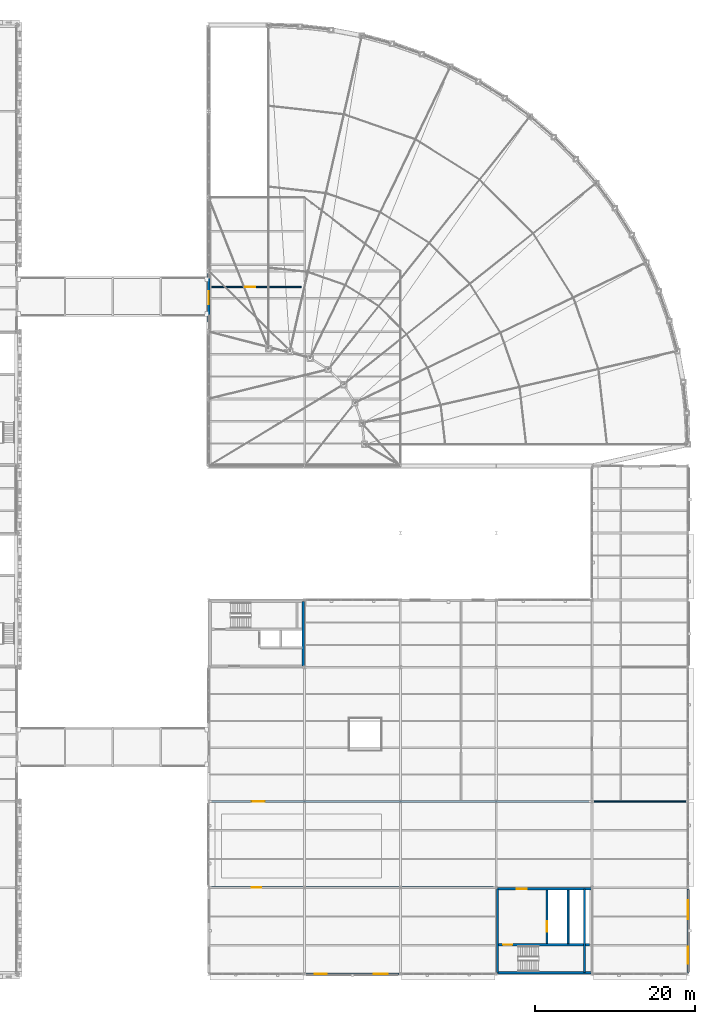
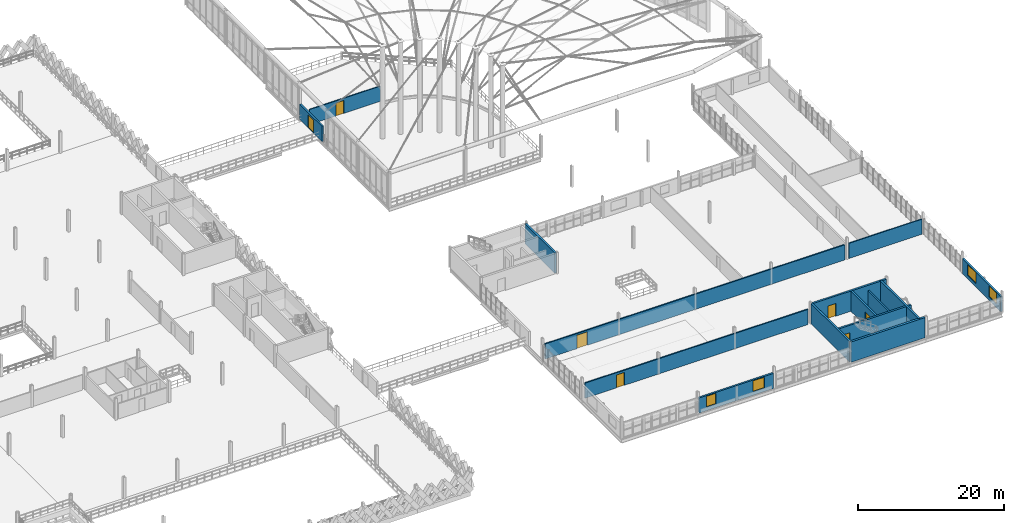
# One storey, part 88 of 101: 15 walls, 7 doors, 4 windows, 11 openings.
"""IFC4 building model written with IfcOpenShell, lengths in metres."""

from ifc_helpers import new_model, si_unit, direction, frame, frame_2d, origin, place, context, subcontext, project, spatial, rectangle, extrude, material, layer, layer_set, type_object, element, fill, save


model = new_model("IFC4")

# Units and contexts
model_context = context("Model", 3, precision=1e-05, world=origin(), true_north=direction((0.0, 1.0)))
body_context = subcontext(model_context, "Body", "Model", "MODEL_VIEW")
ifc_project = project(units=[si_unit("LENGTHUNIT", "METRE"), si_unit("AREAUNIT", "SQUARE_METRE"), si_unit("VOLUMEUNIT", "CUBIC_METRE"), si_unit("PLANEANGLEUNIT", "RADIAN"), si_unit("MASSUNIT", "GRAM", prefix="KILO"), si_unit("THERMODYNAMICTEMPERATUREUNIT", "KELVIN"), si_unit("POWERUNIT", "WATT")], contexts=[model_context])

# Site, building, storey
site_placement = place(None, origin())
site = spatial("IfcSite", under=ifc_project, at=site_placement, CompositionType="ELEMENT")
building_placement = place(site_placement, origin())
building = spatial("IfcBuilding", under=site, at=building_placement, Name="Tembeka Court Mobility Hub", CompositionType="ELEMENT")
storey_placement = place(building_placement, frame((0.0, 0.0, 5.39990234375)))
storey = spatial("IfcBuildingStorey", under=building, at=storey_placement, Name="L01", CompositionType="ELEMENT", Elevation=5.39990234375)

# Wall, opening, door
ifc_material_1 = material(Name="Precast concrete C45/55", Category="concrete")
ifc_layer_1 = layer(ifc_material_1, 0.280029296875)
ifc_layer_set_1 = layer_set([ifc_layer_1], Name="Precast concrete C45/55")
wall_type_1 = type_object("IfcWallType", Name="WL-EW02", PredefinedType="STANDARD", material=ifc_layer_set_1)
wall_1_placement = place(storey_placement, frame((116.39990234375, 81.60009765625, 0.0), z_axis=(0.0, 0.0, 1.0), x_axis=(0.0, 1.0, 0.0)))
wall_1 = element("IfcWall", 1, at=wall_1_placement, inside=storey, type_object=wall_type_1, Name="External wall EW02 (EW-L01-0084)", PredefinedType="STANDARD", context=body_context, shape_type="SweptSolid", body=[
    extrude(rectangle(XDim=6.101806640625, YDim=0.280029296875, at=frame_2d((3.05078125, 0.0))), origin(), (0.0, 0.0, 1.0), 2.53515625),
])
opening_1_placement = place(wall_1_placement, frame((2.25, 0.0, 0.0)))
opening_1 = element("IfcOpeningElement", 2, at=opening_1_placement, cuts=wall_1, Name="Opening ED01", PredefinedType="OPENING", context=body_context, shape_type="SweptSolid", body=[
    extrude(rectangle(XDim=1.60009765625, YDim=2.199951171875, at=frame_2d((0.800048828125, 1.10009765625))), frame((0.0, 0.14990234375, 0.0), z_axis=(0.0, -1.0, 0.0), x_axis=(1.0, 0.0, 0.0)), (0.0, 0.0, 1.0), 0.300048828125),
])
ifc_material_2 = material(Name="Powder-coated aluminium glazed doorset", Category="aluminium")
door_type_1 = type_object("IfcDoorType", Name="DR-ED01", OperationType="NOTDEFINED", PredefinedType="DOOR", material=ifc_material_2)
door_1_placement = place(opening_1_placement, origin())
door_1 = element("IfcDoor", 3, at=door_1_placement, inside=storey, type_object=door_type_1, Name="Bridge 2 East portal door ED01", OperationType="DOUBLE_DOOR_SINGLE_SWING", OverallHeight=2.199951171875, OverallWidth=1.60009765625, PredefinedType="DOOR", context=body_context, shape_type="SweptSolid", body=[
    extrude(rectangle(XDim=1.60009765625, YDim=2.199951171875, at=frame_2d((0.800048828125, 1.10009765625))), frame((0.0, 0.02490234375, 0.0), z_axis=(0.0, -1.0, 0.0), x_axis=(1.0, 0.0, 0.0)), (0.0, 0.0, 1.0), 0.050048828125),
])
fill(opening_1, door_1)

# Wall, openings, windows
wall_2_placement = place(storey_placement, frame((128.552490234375, 0.0, 0.0), z_axis=(0.0, 0.0, 1.0), x_axis=(1.0, 0.0, 0.0)))
wall_2 = element("IfcWall", 4, at=wall_2_placement, inside=storey, type_object=wall_type_1, Name="External wall EW02 (EW-L01-0085)", PredefinedType="STANDARD", context=body_context, shape_type="SweptSolid", body=[
    extrude(rectangle(XDim=11.695068359375, YDim=0.280029296875, at=frame_2d((5.84765625, 0.0))), origin(), (0.0, 0.0, 1.0), 2.53515625),
])
opening_2_placement = place(wall_2_placement, frame((1.1201171875, 0.0, 0.594970703125)))
opening_2 = element("IfcOpeningElement", 5, at=opening_2_placement, cuts=wall_2, Name="Opening WN04", PredefinedType="OPENING", context=body_context, shape_type="SweptSolid", body=[
    extrude(rectangle(XDim=1.5, YDim=1.800048828125, at=frame_2d((0.75, 0.89990234375))), frame((0.0, 0.14990234375, 0.0), z_axis=(0.0, -1.0, 0.0), x_axis=(1.0, 0.0, 0.0)), (0.0, 0.0, 1.0), 0.300048828125),
])
opening_3_placement = place(wall_2_placement, frame((8.489990234375, 0.0, 0.594970703125)))
opening_3 = element("IfcOpeningElement", 6, at=opening_3_placement, cuts=wall_2, Name="Opening WN05", PredefinedType="OPENING", context=body_context, shape_type="SweptSolid", body=[
    extrude(rectangle(XDim=1.800048828125, YDim=1.800048828125, at=frame_2d((0.89990234375, 0.89990234375))), frame((0.0, 0.14990234375, 0.0), z_axis=(0.0, -1.0, 0.0), x_axis=(1.0, 0.0, 0.0)), (0.0, 0.0, 1.0), 0.300048828125),
])
ifc_material_3 = material(Name="Laminated solar-control low-E glass", Category="glass")
window_type_1 = type_object("IfcWindowType", Name="WN-W04", PartitioningType="SINGLE_PANEL", PredefinedType="WINDOW", material=ifc_material_3)
window_1_placement = place(opening_2_placement, origin())
window_1 = element("IfcWindow", 7, at=window_1_placement, inside=storey, type_object=window_type_1, Name="Window WN04-0022", OverallHeight=1.800048828125, OverallWidth=1.5, PartitioningType="SINGLE_PANEL", PredefinedType="WINDOW", context=body_context, shape_type="SweptSolid", body=[
    extrude(rectangle(XDim=1.5, YDim=1.800048828125, at=frame_2d((0.75, 0.89990234375))), frame((0.0, 0.030029296875, 0.0), z_axis=(0.0, -1.0, 0.0), x_axis=(1.0, 0.0, 0.0)), (0.0, 0.0, 1.0), 0.06005859375),
])
fill(opening_2, window_1)
window_type_2 = type_object("IfcWindowType", Name="WN-W05", PartitioningType="SINGLE_PANEL", PredefinedType="WINDOW", material=ifc_material_3)
window_2_placement = place(opening_3_placement, origin())
window_2 = element("IfcWindow", 8, at=window_2_placement, inside=storey, type_object=window_type_2, Name="Window WN05-0023", OverallHeight=1.800048828125, OverallWidth=1.800048828125, PartitioningType="SINGLE_PANEL", PredefinedType="WINDOW", context=body_context, shape_type="SweptSolid", body=[
    extrude(rectangle(XDim=1.800048828125, YDim=1.800048828125, at=frame_2d((0.89990234375, 0.89990234375))), frame((0.0, 0.030029296875, 0.0), z_axis=(0.0, -1.0, 0.0), x_axis=(1.0, 0.0, 0.0)), (0.0, 0.0, 1.0), 0.06005859375),
])
fill(opening_3, window_2)

wall_3_placement = place(storey_placement, frame((176.39990234375, 0.158447265625, 0.0), z_axis=(0.0, 0.0, 1.0), x_axis=(0.0, 1.0, 0.0)))
wall_3 = element("IfcWall", 9, at=wall_3_placement, inside=storey, type_object=wall_type_1, Name="External wall EW02 (EW-L01-0086)", PredefinedType="STANDARD", context=body_context, shape_type="SweptSolid", body=[
    extrude(rectangle(XDim=10.483154296875, YDim=0.280029296875, at=frame_2d((5.24169921875, 0.0))), origin(), (0.0, 0.0, 1.0), 2.53515625),
])
opening_4_placement = place(wall_3_placement, frame((1.1201171875, 0.0, 0.594970703125)))
opening_4 = element("IfcOpeningElement", 10, at=opening_4_placement, cuts=wall_3, Name="Opening WN06", PredefinedType="OPENING", context=body_context, shape_type="SweptSolid", body=[
    extrude(rectangle(XDim=2.10009765625, YDim=1.800048828125, at=frame_2d((1.050048828125, 0.89990234375))), frame((0.0, 0.14990234375, 0.0), z_axis=(0.0, -1.0, 0.0), x_axis=(1.0, 0.0, 0.0)), (0.0, 0.0, 1.0), 0.300048828125),
])
opening_5_placement = place(wall_3_placement, frame((6.68994140625, 0.0, 0.594970703125)))
opening_5 = element("IfcOpeningElement", 11, at=opening_5_placement, cuts=wall_3, Name="Opening WN07", PredefinedType="OPENING", context=body_context, shape_type="SweptSolid", body=[
    extrude(rectangle(XDim=2.39990234375, YDim=1.800048828125, at=frame_2d((1.199951171875, 0.89990234375))), frame((0.0, 0.14990234375, 0.0), z_axis=(0.0, -1.0, 0.0), x_axis=(1.0, 0.0, 0.0)), (0.0, 0.0, 1.0), 0.300048828125),
])
window_type_3 = type_object("IfcWindowType", Name="WN-W06", PartitioningType="SINGLE_PANEL", PredefinedType="WINDOW", material=ifc_material_3)
window_3_placement = place(opening_4_placement, origin())
window_3 = element("IfcWindow", 12, at=window_3_placement, inside=storey, type_object=window_type_3, Name="Window WN06-0024", OverallHeight=1.800048828125, OverallWidth=2.10009765625, PartitioningType="SINGLE_PANEL", PredefinedType="WINDOW", context=body_context, shape_type="SweptSolid", body=[
    extrude(rectangle(XDim=2.10009765625, YDim=1.800048828125, at=frame_2d((1.050048828125, 0.89990234375))), frame((0.0, 0.030029296875, 0.0), z_axis=(0.0, -1.0, 0.0), x_axis=(1.0, 0.0, 0.0)), (0.0, 0.0, 1.0), 0.06005859375),
])
fill(opening_4, window_3)
window_type_4 = type_object("IfcWindowType", Name="WN-W07", PartitioningType="SINGLE_PANEL", PredefinedType="WINDOW", material=ifc_material_3)
window_4_placement = place(opening_5_placement, origin())
window_4 = element("IfcWindow", 13, at=window_4_placement, inside=storey, type_object=window_type_4, Name="Window WN07-0025", OverallHeight=1.800048828125, OverallWidth=2.39990234375, PartitioningType="SINGLE_PANEL", PredefinedType="WINDOW", context=body_context, shape_type="SweptSolid", body=[
    extrude(rectangle(XDim=2.39990234375, YDim=1.800048828125, at=frame_2d((1.199951171875, 0.89990234375))), frame((0.0, 0.030029296875, 0.0), z_axis=(0.0, -1.0, 0.0), x_axis=(1.0, 0.0, 0.0)), (0.0, 0.0, 1.0), 0.06005859375),
])
fill(opening_5, window_4)

# Wall
ifc_material_4 = material(Name="Concrete C40/50", Category="concrete")
ifc_layer_2 = layer(ifc_material_4, 0.25)
ifc_layer_set_2 = layer_set([ifc_layer_2], Name="Concrete C40/50")
wall_type_2 = type_object("IfcWallType", Name="WL-IW01", PredefinedType="PARTITIONING", material=ifc_layer_set_2)
wall_4_placement = place(storey_placement, frame((161.39990234375, 3.800048828125, 0.0), z_axis=(0.0, 0.0, 1.0), x_axis=(0.0, 1.0, 0.0)))
element("IfcWall", 14, at=wall_4_placement, inside=storey, type_object=wall_type_2, Name="Wall IW01 (IW-L01-0314)", PredefinedType="PARTITIONING", context=body_context, shape_type="SweptSolid", body=[
    extrude(rectangle(XDim=6.699951171875, YDim=0.25, at=frame_2d((3.35009765625, 0.0))), origin(), (0.0, 0.0, 1.0), 2.525146484375),
])

# Wall, opening, door
ifc_material_5 = material(Name="Concrete blockwork masonry", Category="masonry")
ifc_layer_3 = layer(ifc_material_5, 0.199951171875)
ifc_layer_set_3 = layer_set([ifc_layer_3], Name="Concrete blockwork masonry")
wall_type_3 = type_object("IfcWallType", Name="WL-IW02", PredefinedType="PARTITIONING", material=ifc_layer_set_3)
wall_5_placement = place(storey_placement, frame((116.800048828125, 10.800048828125, 0.0), z_axis=(0.0, 0.0, 1.0), x_axis=(1.0, 0.0, 0.0)))
wall_5 = element("IfcWall", 15, at=wall_5_placement, inside=storey, type_object=wall_type_3, Name="Wall IW02 (IW-L01-0458)", PredefinedType="PARTITIONING", context=body_context, shape_type="SweptSolid", body=[
    extrude(rectangle(XDim=35.199951171875, YDim=0.199951171875, at=frame_2d((17.60009765625, 0.0))), origin(), (0.0, 0.0, 1.0), 2.525146484375),
])
opening_6_placement = place(wall_5_placement, frame((5.0, 0.0, 0.0)))
opening_6 = element("IfcOpeningElement", 16, at=opening_6_placement, cuts=wall_5, Name="Opening ID04", PredefinedType="OPENING", context=body_context, shape_type="SweptSolid", body=[
    extrude(rectangle(XDim=1.199951171875, YDim=2.14990234375, at=frame_2d((0.60009765625, 1.074951171875))), frame((0.0, 0.10986328125, 0.0), z_axis=(0.0, -1.0, 0.0), x_axis=(1.0, 0.0, 0.0)), (0.0, 0.0, 1.0), 0.219970703125),
])
door_type_2 = type_object("IfcDoorType", Name="DR-ID04", OperationType="NOTDEFINED", PredefinedType="DOOR", material=ifc_material_2)
door_2_placement = place(opening_6_placement, origin())
door_2 = element("IfcDoor", 17, at=door_2_placement, inside=storey, type_object=door_type_2, Name="Door ID04-0229", OperationType="SINGLE_SWING_LEFT", OverallHeight=2.14990234375, OverallWidth=1.199951171875, PredefinedType="DOOR", context=body_context, shape_type="SweptSolid", body=[
    extrude(rectangle(XDim=1.199951171875, YDim=2.14990234375, at=frame_2d((0.60009765625, 1.074951171875))), frame((0.0, 0.02490234375, 0.0), z_axis=(0.0, -1.0, 0.0), x_axis=(1.0, 0.0, 0.0)), (0.0, 0.0, 1.0), 0.050048828125),
])
fill(opening_6, door_2)

wall_6_placement = place(storey_placement, frame((116.800048828125, 21.60009765625, 0.0), z_axis=(0.0, 0.0, 1.0), x_axis=(1.0, 0.0, 0.0)))
wall_6 = element("IfcWall", 18, at=wall_6_placement, inside=storey, type_object=wall_type_3, Name="Wall IW02 (IW-L01-0459)", PredefinedType="PARTITIONING", context=body_context, shape_type="SweptSolid", body=[
    extrude(rectangle(XDim=47.199951171875, YDim=0.199951171875, at=frame_2d((23.60009765625, 0.0))), origin(), (0.0, 0.0, 1.0), 2.525146484375),
])
opening_7_placement = place(wall_6_placement, frame((5.0, 0.0, 0.0)))
opening_7 = element("IfcOpeningElement", 19, at=opening_7_placement, cuts=wall_6, Name="Opening ID05", PredefinedType="OPENING", context=body_context, shape_type="SweptSolid", body=[
    extrude(rectangle(XDim=1.60009765625, YDim=2.25, at=frame_2d((0.800048828125, 1.125))), frame((0.0, 0.10986328125, 0.0), z_axis=(0.0, -1.0, 0.0), x_axis=(1.0, 0.0, 0.0)), (0.0, 0.0, 1.0), 0.219970703125),
])
door_type_3 = type_object("IfcDoorType", Name="DR-ID05", OperationType="NOTDEFINED", PredefinedType="DOOR", material=ifc_material_2)
door_3_placement = place(opening_7_placement, origin())
door_3 = element("IfcDoor", 20, at=door_3_placement, inside=storey, type_object=door_type_3, Name="Door ID05-0230", OperationType="DOUBLE_DOOR_SINGLE_SWING", OverallHeight=2.25, OverallWidth=1.60009765625, PredefinedType="DOOR", context=body_context, shape_type="SweptSolid", body=[
    extrude(rectangle(XDim=1.60009765625, YDim=2.25, at=frame_2d((0.800048828125, 1.125))), frame((0.0, 0.02490234375, 0.0), z_axis=(0.0, -1.0, 0.0), x_axis=(1.0, 0.0, 0.0)), (0.0, 0.0, 1.0), 0.050048828125),
])
fill(opening_7, door_3)

# Wall
ifc_material_6 = material(Name="Acoustic metal-stud gypsum partition", Category="masonry")
ifc_layer_4 = layer(ifc_material_6, 0.159912109375)
ifc_layer_set_4 = layer_set([ifc_layer_4], Name="Acoustic metal-stud gypsum partition")
wall_type_4 = type_object("IfcWallType", Name="WL-IW04", PredefinedType="PARTITIONING", material=ifc_layer_set_4)
wall_7_placement = place(storey_placement, frame((164.64990234375, 21.60009765625, 0.0), z_axis=(0.0, 0.0, 1.0), x_axis=(1.0, 0.0, 0.0)))
element("IfcWall", 21, at=wall_7_placement, inside=storey, type_object=wall_type_4, Name="Wall IW04 (IW-L01-0456)", PredefinedType="PARTITIONING", context=body_context, shape_type="SweptSolid", body=[
    extrude(rectangle(XDim=11.5, YDim=0.159912109375, at=frame_2d((5.75, 0.0))), origin(), (0.0, 0.0, 1.0), 2.525146484375),
])

# Wall, opening, door
wall_8_placement = place(storey_placement, frame((116.800048828125, 86.0, 0.0), z_axis=(0.0, 0.0, 1.0), x_axis=(1.0, 0.0, 0.0)))
wall_8 = element("IfcWall", 22, at=wall_8_placement, inside=storey, type_object=wall_type_4, Name="Wall IW04 (IW-L01-0474)", PredefinedType="PARTITIONING", context=body_context, shape_type="SweptSolid", body=[
    extrude(rectangle(XDim=11.199951171875, YDim=0.159912109375, at=frame_2d((5.60009765625, 0.0))), origin(), (0.0, 0.0, 1.0), 2.525146484375),
])
opening_8_placement = place(wall_8_placement, frame((4.199951171875, 0.0, 0.0)))
opening_8 = element("IfcOpeningElement", 23, at=opening_8_placement, cuts=wall_8, Name="Opening ID04", PredefinedType="OPENING", context=body_context, shape_type="SweptSolid", body=[
    extrude(rectangle(XDim=1.199951171875, YDim=2.14990234375, at=frame_2d((0.60009765625, 1.074951171875))), frame((0.0, 0.08984375, 0.0), z_axis=(0.0, -1.0, 0.0), x_axis=(1.0, 0.0, 0.0)), (0.0, 0.0, 1.0), 0.179931640625),
])
door_4_placement = place(opening_8_placement, origin())
door_4 = element("IfcDoor", 24, at=door_4_placement, inside=storey, type_object=door_type_2, Name="Door ID04-0245", OperationType="SINGLE_SWING_LEFT", OverallHeight=2.14990234375, OverallWidth=1.199951171875, PredefinedType="DOOR", context=body_context, shape_type="SweptSolid", body=[
    extrude(rectangle(XDim=1.199951171875, YDim=2.14990234375, at=frame_2d((0.60009765625, 1.074951171875))), frame((0.0, 0.02490234375, 0.0), z_axis=(0.0, -1.0, 0.0), x_axis=(1.0, 0.0, 0.0)), (0.0, 0.0, 1.0), 0.050048828125),
])
fill(opening_8, door_4)

# Wall
ifc_layer_5 = layer(ifc_material_4, 0.300048828125)
ifc_layer_set_5 = layer_set([ifc_layer_5], Name="Concrete C40/50")
wall_type_5 = type_object("IfcWallType", Name="WL-SW01", PredefinedType="SHEAR", material=ifc_layer_set_5)
wall_9_placement = place(storey_placement, frame((128.25, 38.55859375, 0.0), z_axis=(0.0, 0.0, 1.0), x_axis=(0.0, 1.0, 0.0)))
element("IfcWall", 25, at=wall_9_placement, inside=storey, type_object=wall_type_5, Name="Wall SW01 (IW-L01-0270)", PredefinedType="SHEAR", context=body_context, shape_type="SweptSolid", body=[
    extrude(rectangle(XDim=8.0830078125, YDim=0.300048828125, at=frame_2d((4.04150390625, 0.0))), origin(), (0.0, 0.0, 1.0), 3.380126953125),
])

# Wall, opening, door
wall_10_placement = place(storey_placement, frame((152.552490234375, 10.64990234375, 0.0), z_axis=(0.0, 0.0, 1.0), x_axis=(1.0, 0.0, 0.0)))
wall_10 = element("IfcWall", 26, at=wall_10_placement, inside=storey, type_object=wall_type_5, Name="Wall SW01 (IW-L01-0309)", PredefinedType="SHEAR", context=body_context, shape_type="SweptSolid", body=[
    extrude(rectangle(XDim=11.695068359375, YDim=0.300048828125, at=frame_2d((5.84765625, 0.0))), origin(), (0.0, 0.0, 1.0), 3.380126953125),
])
opening_9_placement = place(wall_10_placement, frame((2.427490234375, 0.0, 0.0)))
opening_9 = element("IfcOpeningElement", 27, at=opening_9_placement, cuts=wall_10, Name="Opening FD01", PredefinedType="OPENING", context=body_context, shape_type="SweptSolid", body=[
    extrude(rectangle(XDim=1.25, YDim=2.14990234375, at=frame_2d((0.625, 1.074951171875))), frame((0.0, 0.16015625, 0.0), z_axis=(0.0, -1.0, 0.0), x_axis=(1.0, 0.0, 0.0)), (0.0, 0.0, 1.0), 0.320068359375),
])
ifc_material_7 = material(Name="Galvanised steel fire/shutter doorset", Category="steel")
door_type_4 = type_object("IfcDoorType", Name="DR-FD01", OperationType="NOTDEFINED", PredefinedType="DOOR", material=ifc_material_7)
door_5_placement = place(opening_9_placement, origin())
door_5 = element("IfcDoor", 28, at=door_5_placement, inside=storey, type_object=door_type_4, Name="Door FD01-0137", OperationType="SINGLE_SWING_LEFT", OverallHeight=2.14990234375, OverallWidth=1.25, PredefinedType="DOOR", context=body_context, shape_type="SweptSolid", body=[
    extrude(rectangle(XDim=1.25, YDim=2.14990234375, at=frame_2d((0.625, 1.074951171875))), frame((0.0, 0.02490234375, 0.0), z_axis=(0.0, -1.0, 0.0), x_axis=(1.0, 0.0, 0.0)), (0.0, 0.0, 1.0), 0.050048828125),
])
fill(opening_9, door_5)

# Walls
for number, where, z_axis, x_axis, name in (
    (29, (152.550048828125, 0.158447265625, 0.0), (0.0, 0.0, 1.0), (0.0, 1.0, 0.0), "Wall SW01 (IW-L01-0310)"),
    (30, (163.449951171875, 0.158447265625, 0.0), (0.0, 0.0, 1.0), (0.0, 1.0, 0.0), "Wall SW01 (IW-L01-0311)"),
):
    element("IfcWall", number, at=place(storey_placement, frame(where, z_axis=z_axis, x_axis=x_axis)), inside=storey, type_object=wall_type_5, Name=name, PredefinedType="SHEAR", context=body_context, shape_type="SweptSolid", body=[
        extrude(rectangle(XDim=10.483154296875, YDim=0.300048828125, at=frame_2d((5.24169921875, 0.0))), origin(), (0.0, 0.0, 1.0), 3.380126953125),
    ])

# Wall, opening, door
wall_11_placement = place(storey_placement, frame((152.699951171875, 3.64990234375, 0.0), z_axis=(0.0, 0.0, 1.0), x_axis=(1.0, 0.0, 0.0)))
wall_11 = element("IfcWall", 31, at=wall_11_placement, inside=storey, type_object=wall_type_5, Name="Wall SW01 (IW-L01-0312)", PredefinedType="SHEAR", context=body_context, shape_type="SweptSolid", body=[
    extrude(rectangle(XDim=11.400146484375, YDim=0.300048828125, at=frame_2d((5.7001953125, 0.0))), origin(), (0.0, 0.0, 1.0), 3.380126953125),
])
opening_10_placement = place(wall_11_placement, frame((0.550048828125, 0.0, 0.0)))
opening_10 = element("IfcOpeningElement", 32, at=opening_10_placement, cuts=wall_11, Name="Opening FD03", PredefinedType="OPENING", context=body_context, shape_type="SweptSolid", body=[
    extrude(rectangle(XDim=1.14990234375, YDim=2.14990234375, at=frame_2d((0.574951171875, 1.074951171875))), frame((0.0, 0.16015625, 0.0), z_axis=(0.0, -1.0, 0.0), x_axis=(1.0, 0.0, 0.0)), (0.0, 0.0, 1.0), 0.320068359375),
])
door_type_5 = type_object("IfcDoorType", Name="DR-FD03", OperationType="NOTDEFINED", PredefinedType="DOOR", material=ifc_material_7)
door_6_placement = place(opening_10_placement, origin())
door_6 = element("IfcDoor", 33, at=door_6_placement, inside=storey, type_object=door_type_5, Name="Door FD03-0138", OperationType="SINGLE_SWING_LEFT", OverallHeight=2.14990234375, OverallWidth=1.14990234375, PredefinedType="DOOR", context=body_context, shape_type="SweptSolid", body=[
    extrude(rectangle(XDim=1.14990234375, YDim=2.14990234375, at=frame_2d((0.574951171875, 1.074951171875))), frame((0.0, 0.02490234375, 0.0), z_axis=(0.0, -1.0, 0.0), x_axis=(1.0, 0.0, 0.0)), (0.0, 0.0, 1.0), 0.050048828125),
])
fill(opening_10, door_6)

wall_12_placement = place(storey_placement, frame((158.75, 3.800048828125, 0.0), z_axis=(0.0, 0.0, 1.0), x_axis=(0.0, 1.0, 0.0)))
wall_12 = element("IfcWall", 34, at=wall_12_placement, inside=storey, type_object=wall_type_5, Name="Wall SW01 (IW-L01-0313)", PredefinedType="SHEAR", context=body_context, shape_type="SweptSolid", body=[
    extrude(rectangle(XDim=6.699951171875, YDim=0.300048828125, at=frame_2d((3.35009765625, 0.0))), origin(), (0.0, 0.0, 1.0), 3.380126953125),
])
opening_11_placement = place(wall_12_placement, frame((1.5, 0.0, 0.0)))
opening_11 = element("IfcOpeningElement", 35, at=opening_11_placement, cuts=wall_12, Name="Opening LD02", PredefinedType="OPENING", context=body_context, shape_type="SweptSolid", body=[
    extrude(rectangle(XDim=1.300048828125, YDim=2.300048828125, at=frame_2d((0.64990234375, 1.14990234375))), frame((0.0, 0.16015625, 0.0), z_axis=(0.0, -1.0, 0.0), x_axis=(1.0, 0.0, 0.0)), (0.0, 0.0, 1.0), 0.320068359375),
])
door_type_6 = type_object("IfcDoorType", Name="DR-LD02", OperationType="SLIDING_TO_LEFT", PredefinedType="DOOR", material=ifc_material_7)
door_7_placement = place(opening_11_placement, origin())
door_7 = element("IfcDoor", 36, at=door_7_placement, inside=storey, type_object=door_type_6, Name="Lift LF08 landing door L01", OperationType="SLIDING_TO_LEFT", OverallHeight=2.300048828125, OverallWidth=1.300048828125, PredefinedType="DOOR", context=body_context, shape_type="SweptSolid", body=[
    extrude(rectangle(XDim=1.300048828125, YDim=2.300048828125, at=frame_2d((0.64990234375, 1.14990234375))), frame((0.0, 0.02490234375, 0.0), z_axis=(0.0, -1.0, 0.0), x_axis=(1.0, 0.0, 0.0)), (0.0, 0.0, 1.0), 0.050048828125),
])
fill(opening_11, door_7)

# Wall
ifc_layer_6 = layer(ifc_material_4, 0.35009765625)
ifc_layer_set_6 = layer_set([ifc_layer_6], Name="Concrete C40/50")
wall_type_6 = type_object("IfcWallType", Name="WL-SW02", PredefinedType="SHEAR", material=ifc_layer_set_6)
wall_13_placement = place(storey_placement, frame((152.552490234375, 0.14990234375, 0.0), z_axis=(0.0, 0.0, 1.0), x_axis=(1.0, 0.0, 0.0)))
element("IfcWall", 37, at=wall_13_placement, inside=storey, type_object=wall_type_6, Name="Wall SW02 (IW-L01-0308)", PredefinedType="SHEAR", context=body_context, shape_type="SweptSolid", body=[
    extrude(rectangle(XDim=11.695068359375, YDim=0.35009765625, at=frame_2d((5.84765625, 0.0))), origin(), (0.0, 0.0, 1.0), 3.380126953125),
])

save(model, "model.ifc")
